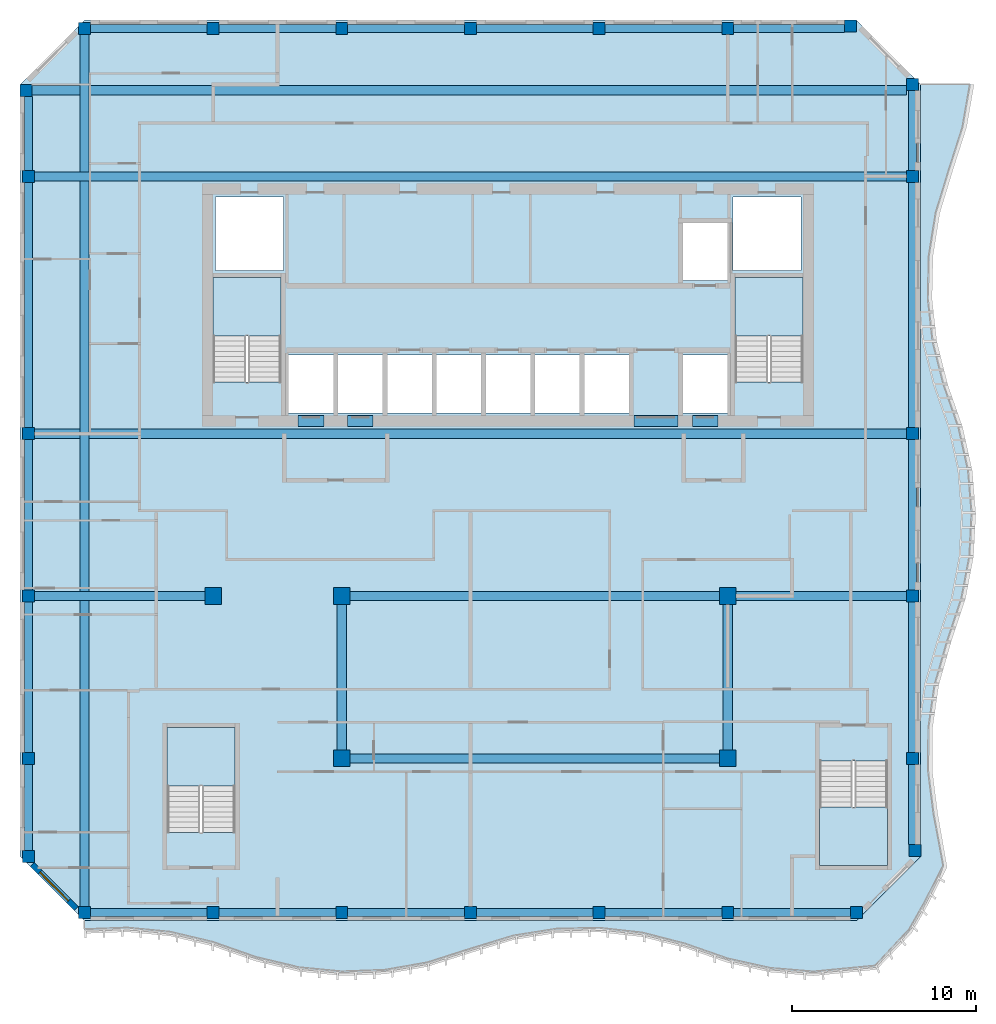
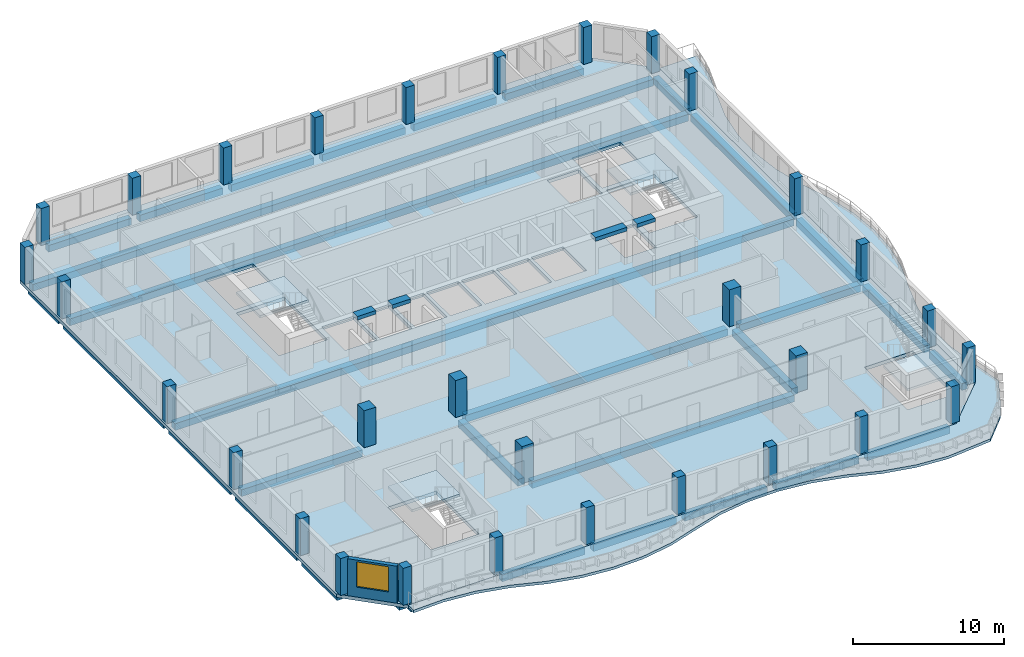
# One storey, part 1 of 13: 36 beams, 31 columns, 6 slabs, 1 wall, 1 window, 1 opening, 4 elements without a shape of their own.
"""IFC4 building model written with IfcOpenShell, lengths in metres."""

from ifc_helpers import new_model, si_unit, direction, frame, frame_2d, origin, origin_2d, place, context, subcontext, project, spatial, polyline, rectangle, outline, extrude, source, transform, mapped, material, layer, layer_set, material_profile, profile_set, type_object, element, fill, aggregate, save


model = new_model("IFC4")

# Units and contexts
model_context = context("Model", 3, precision=1e-05, world=origin(), true_north=direction((0.0, 1.0)))
body_context = subcontext(model_context, "Body", "Model", "MODEL_VIEW")
ifc_project = project(units=[si_unit("LENGTHUNIT", "METRE"), si_unit("AREAUNIT", "SQUARE_METRE"), si_unit("VOLUMEUNIT", "CUBIC_METRE"), si_unit("PLANEANGLEUNIT", "RADIAN"), si_unit("MASSUNIT", "GRAM", prefix="KILO")], contexts=[model_context])

# Site, building, storey
site_placement = place(None, origin())
site = spatial("IfcSite", under=ifc_project, at=site_placement, CompositionType="ELEMENT")
building_placement = place(site_placement, origin())
building = spatial("IfcBuilding", under=site, at=building_placement, Name="Kilnfold Tower and Market Hall", CompositionType="ELEMENT")
storey_placement = place(building_placement, frame((0.0, 0.0, 287.39990234375)))
storey = spatial("IfcBuildingStorey", under=building, at=storey_placement, Name="L71", CompositionType="ELEMENT", Elevation=287.39990234375)

# Columns
ifc_material_1 = material(Name="Concrete C60", Category="concrete")
ifc_material_profile_1 = material_profile(ifc_material_1, rectangle(XDim=0.64990234375, YDim=0.64990234375, at=origin_2d()), Name="RC 650x650")
ifc_profile_set_1 = profile_set([ifc_material_profile_1], Name="Concrete C60")
column_type_1 = type_object("IfcColumnType", Name="COLUMN 650X650 C60", PredefinedType="COLUMN", material=ifc_profile_set_1)
shared_shape_1 = source(origin(), body_context, "Body", "SweptSolid", [
    extrude(rectangle(XDim=0.64990234375, YDim=0.64990234375, at=origin_2d()), origin(), (0.0, 0.0, 1.0), 3.0),
])
for number, where, z_axis, x_axis, name in (
    (1, (-25.181884765625, 26.681884765625, 0.0), (0.0, 0.0, 1.0), (1.0, 0.0, 0.0), "Column C-B8-1G"),
    (2, (-25.050048828125, -15.0, 0.0), (0.0, 0.0, 1.0), (1.0, 0.0, 0.0), "Column C-B8-1B"),
    (3, (-25.050048828125, -9.666748046875, 0.0), (0.0, 0.0, 1.0), (1.0, 0.0, 0.0), "Column C-B8-1C"),
    (4, (-25.050048828125, -0.833251953125, 0.0), (0.0, 0.0, 1.0), (1.0, 0.0, 0.0), "Column C-B8-1D"),
    (5, (-25.050048828125, 8.0, 0.0), (0.0, 0.0, 1.0), (1.0, 0.0, 0.0), "Column C-B8-1E"),
    (6, (-25.050048828125, 22.0, 0.0), (0.0, 0.0, 1.0), (1.0, 0.0, 0.0), "Column C-B8-1F"),
    (7, (-22.0, -18.050048828125, 0.0), (0.0, 0.0, 1.0), (1.0, 0.0, 0.0), "Column C-B8-2A"),
    (8, (-22.0, 30.050048828125, 0.0), (0.0, 0.0, 1.0), (1.0, 0.0, 0.0), "Column C-B8-2H"),
    (9, (-15.0, -18.050048828125, 0.0), (0.0, 0.0, 1.0), (1.0, 0.0, 0.0), "Column C-B8-3A"),
    (10, (-15.0, 30.050048828125, 0.0), (0.0, 0.0, 1.0), (1.0, 0.0, 0.0), "Column C-B8-3H"),
    (11, (-8.0, -18.050048828125, 0.0), (0.0, 0.0, 1.0), (1.0, 0.0, 0.0), "Column C-B8-4A"),
    (12, (-8.0, 30.050048828125, 0.0), (0.0, 0.0, 1.0), (1.0, 0.0, 0.0), "Column C-B8-4H"),
    (13, (-1.0, -18.050048828125, 0.0), (0.0, 0.0, 1.0), (1.0, 0.0, 0.0), "Column C-B8-5A"),
    (14, (-1.0, 30.050048828125, 0.0), (0.0, 0.0, 1.0), (1.0, 0.0, 0.0), "Column C-B8-5H"),
    (15, (6.0, -18.050048828125, 0.0), (0.0, 0.0, 1.0), (1.0, 0.0, 0.0), "Column C-B8-6A"),
    (16, (6.0, 30.050048828125, 0.0), (0.0, 0.0, 1.0), (1.0, 0.0, 0.0), "Column C-B8-6H"),
    (17, (13.0, -18.050048828125, 0.0), (0.0, 0.0, 1.0), (1.0, 0.0, 0.0), "Column C-B8-7A"),
    (18, (13.0, 30.050048828125, 0.0), (0.0, 0.0, 1.0), (1.0, 0.0, 0.0), "Column C-B8-7H"),
    (19, (19.681884765625, 30.181884765625, 0.0), (0.0, 0.0, 1.0), (1.0, 0.0, 0.0), "Column C-B8-8H"),
    (20, (20.0, -18.050048828125, 0.0), (0.0, 0.0, 1.0), (1.0, 0.0, 0.0), "Column C-B8-8A"),
    (21, (23.050048828125, -9.666748046875, 0.0), (0.0, 0.0, 1.0), (1.0, 0.0, 0.0), "Column C-B8-9C"),
    (22, (23.050048828125, -0.833251953125, 0.0), (0.0, 0.0, 1.0), (1.0, 0.0, 0.0), "Column C-B8-9D"),
    (23, (23.050048828125, 8.0, 0.0), (0.0, 0.0, 1.0), (1.0, 0.0, 0.0), "Column C-B8-9E"),
    (24, (23.050048828125, 22.0, 0.0), (0.0, 0.0, 1.0), (1.0, 0.0, 0.0), "Column C-B8-9F"),
    (25, (23.050048828125, 27.0, 0.0), (0.0, 0.0, 1.0), (1.0, 0.0, 0.0), "Column C-B8-9G"),
    (26, (23.181884765625, -14.681884765625, 0.0), (0.0, 0.0, 1.0), (1.0, 0.0, 0.0), "Column C-B8-9B"),
):
    element("IfcColumn", number, at=place(storey_placement, frame(where, z_axis=z_axis, x_axis=x_axis)), inside=storey, type_object=column_type_1, Name=name, PredefinedType="COLUMN", context=body_context, shape_type="MappedRepresentation", body=[
        mapped(shared_shape_1, transform((0.0, 0.0, 0.0))),
    ])
ifc_material_2 = material(Name="Concrete C60", Category="concrete")
ifc_material_profile_2 = material_profile(ifc_material_2, rectangle(XDim=0.89990234375, YDim=0.89990234375, at=origin_2d()), Name="RC 900x900")
ifc_profile_set_2 = profile_set([ifc_material_profile_2], Name="Concrete C60")
column_type_2 = type_object("IfcColumnType", Name="COLUMN 900X900 C60", PredefinedType="COLUMN", material=ifc_profile_set_2)
shared_shape_2 = source(origin(), body_context, "Body", "SweptSolid", [
    extrude(rectangle(XDim=0.89990234375, YDim=0.89990234375, at=origin_2d()), origin(), (0.0, 0.0, 1.0), 3.0),
])
for number, where, z_axis, x_axis, name in (
    (27, (-15.0, -0.833251953125, 0.0), (0.0, 0.0, 1.0), (1.0, 0.0, 0.0), "Column C-B8-3D"),
    (28, (-8.0, -9.666748046875, 0.0), (0.0, 0.0, 1.0), (1.0, 0.0, 0.0), "Column C-B8-4C"),
    (29, (-8.0, -0.833251953125, 0.0), (0.0, 0.0, 1.0), (1.0, 0.0, 0.0), "Column C-B8-4D"),
    (30, (13.0, -9.666748046875, 0.0), (0.0, 0.0, 1.0), (1.0, 0.0, 0.0), "Column C-B8-7C"),
    (31, (13.0, -0.833251953125, 0.0), (0.0, 0.0, 1.0), (1.0, 0.0, 0.0), "Column C-B8-7D"),
):
    element("IfcColumn", number, at=place(storey_placement, frame(where, z_axis=z_axis, x_axis=x_axis)), inside=storey, type_object=column_type_2, Name=name, PredefinedType="COLUMN", context=body_context, shape_type="MappedRepresentation", body=[
        mapped(shared_shape_2, transform((0.0, 0.0, 0.0))),
    ])

# Beams
ifc_material_3 = material(Name="Concrete C45", Category="concrete")
ifc_material_profile_3 = material_profile(ifc_material_3, rectangle(XDim=0.449951171875, YDim=0.550048828125, at=origin_2d()), Name="RC 450x550")
ifc_profile_set_3 = profile_set([ifc_material_profile_3], Name="Concrete C45")
beam_type_1 = type_object("IfcBeamType", Name="EDGE BEAM 450X550 C45", PredefinedType="BEAM", material=ifc_profile_set_3)
shared_shape_3 = source(origin(), body_context, "Body", "SweptSolid", [
    extrude(rectangle(XDim=0.449951171875, YDim=0.550048828125, at=origin_2d()), origin(), (0.0, 0.0, 1.0), 6.35009765625),
])
for number, where, z_axis, x_axis, name in (
    (32, (-21.675048828125, -18.050048828125, -0.554931640625), (1.0, 0.0, 0.0), (0.0, 1.0, 0.0), "Beam EB550-B8.31"),
    (33, (-14.675048828125, -18.050048828125, -0.554931640625), (1.0, 0.0, 0.0), (0.0, 1.0, 0.0), "Beam EB550-B8.32"),
    (34, (-7.675048828125, -18.050048828125, -0.554931640625), (1.0, 0.0, 0.0), (0.0, 1.0, 0.0), "Beam EB550-B8.33"),
    (35, (-0.675048828125, -18.050048828125, -0.554931640625), (1.0, 0.0, 0.0), (0.0, 1.0, 0.0), "Beam EB550-B8.34"),
    (36, (6.324951171875, -18.050048828125, -0.554931640625), (1.0, 0.0, 0.0), (0.0, 1.0, 0.0), "Beam EB550-B8.35"),
    (37, (13.324951171875, -18.050048828125, -0.554931640625), (1.0, 0.0, 0.0), (0.0, 1.0, 0.0), "Beam EB550-B8.36"),
    (38, (-21.675048828125, 30.050048828125, -0.554931640625), (1.0, 0.0, 0.0), (0.0, 1.0, 0.0), "Beam EB550-B8.44"),
    (39, (-14.675048828125, 30.050048828125, -0.554931640625), (1.0, 0.0, 0.0), (0.0, 1.0, 0.0), "Beam EB550-B8.45"),
    (40, (-7.675048828125, 30.050048828125, -0.554931640625), (1.0, 0.0, 0.0), (0.0, 1.0, 0.0), "Beam EB550-B8.46"),
    (41, (-0.675048828125, 30.050048828125, -0.554931640625), (1.0, 0.0, 0.0), (0.0, 1.0, 0.0), "Beam EB550-B8.47"),
    (42, (6.324951171875, 30.050048828125, -0.554931640625), (1.0, 0.0, 0.0), (0.0, 1.0, 0.0), "Beam EB550-B8.48"),
):
    element("IfcBeam", number, at=place(storey_placement, frame(where, z_axis=z_axis, x_axis=x_axis)), inside=storey, type_object=beam_type_1, Name=name, PredefinedType="BEAM", context=body_context, shape_type="MappedRepresentation", body=[
        mapped(shared_shape_3, transform((0.0, 0.0, 0.0))),
    ])
ifc_material_4 = material(Name="Concrete C45", Category="concrete")
ifc_material_profile_4 = material_profile(ifc_material_4, rectangle(XDim=0.5, YDim=0.550048828125, at=origin_2d()), Name="RC 500x550")
ifc_profile_set_4 = profile_set([ifc_material_profile_4], Name="Concrete C45")
beam_type_2 = type_object("IfcBeamType", Name="BEAM 500X550 C45", PredefinedType="BEAM", material=ifc_profile_set_4)
shared_shape_4 = source(origin(), body_context, "Body", "SweptSolid", [
    extrude(rectangle(XDim=0.5, YDim=0.550048828125, at=origin_2d()), origin(), (0.0, 0.0, 1.0), 20.10009765625),
])
for number, where, z_axis, x_axis, name in (
    (43, (-7.550048828125, -9.669921875, -0.554931640625), (1.0, 0.0, 0.0), (0.0, 1.0, 0.0), "Beam BB550-B8.37"),
    (44, (-7.550048828125, -0.830078125, -0.554931640625), (1.0, 0.0, 0.0), (0.0, 1.0, 0.0), "Beam BB550-B8.39"),
):
    element("IfcBeam", number, at=place(storey_placement, frame(where, z_axis=z_axis, x_axis=x_axis)), inside=storey, type_object=beam_type_2, Name=name, PredefinedType="BEAM", context=body_context, shape_type="MappedRepresentation", body=[
        mapped(shared_shape_4, transform((0.0, 0.0, 0.0))),
    ])
shared_shape_5 = source(origin(), body_context, "Body", "SweptSolid", [
    extrude(rectangle(XDim=0.5, YDim=0.550048828125, at=origin_2d()), origin(), (0.0, 0.0, 1.0), 9.275146484375),
])
for number, where, z_axis, x_axis, name in (
    (45, (-24.72509765625, -0.830078125, -0.554931640625), (1.0, 0.0, 0.0), (0.0, 1.0, 0.0), "Beam BB550-B8.38"),
    (46, (13.449951171875, -0.830078125, -0.554931640625), (1.0, 0.0, 0.0), (0.0, 1.0, 0.0), "Beam BB550-B8.40"),
):
    element("IfcBeam", number, at=place(storey_placement, frame(where, z_axis=z_axis, x_axis=x_axis)), inside=storey, type_object=beam_type_2, Name=name, PredefinedType="BEAM", context=body_context, shape_type="MappedRepresentation", body=[
        mapped(shared_shape_5, transform((0.0, 0.0, 0.0))),
    ])
shared_shape_6 = source(origin(), body_context, "Body", "SweptSolid", [
    extrude(rectangle(XDim=0.5, YDim=0.550048828125, at=origin_2d()), origin(), (0.0, 0.0, 1.0), 47.4501953125),
])
for number, where, z_axis, x_axis, name in (
    (47, (-24.72509765625, 8.0, -0.554931640625), (1.0, 0.0, 0.0), (0.0, 1.0, 0.0), "Beam BB550-B8.41"),
    (48, (-24.72509765625, 22.0, -0.554931640625), (1.0, 0.0, 0.0), (0.0, 1.0, 0.0), "Beam BB550-B8.42"),
    (49, (-22.0, -17.72509765625, -0.554931640625), (0.0, 1.0, 0.0), (-1.0, 0.0, 0.0), "Beam BB550-B8.55"),
):
    element("IfcBeam", number, at=place(storey_placement, frame(where, z_axis=z_axis, x_axis=x_axis)), inside=storey, type_object=beam_type_2, Name=name, PredefinedType="BEAM", context=body_context, shape_type="MappedRepresentation", body=[
        mapped(shared_shape_6, transform((0.0, 0.0, 0.0))),
    ])
shared_shape_7 = source(origin(), body_context, "Body", "SweptSolid", [
    extrude(rectangle(XDim=0.5, YDim=0.550048828125, at=origin_2d()), origin(), (0.0, 0.0, 1.0), 47.581787109375),
])
beam_1_placement = place(storey_placement, frame((-24.856689453125, 26.679931640625, -0.554931640625), z_axis=(1.0, 0.0, 0.0), x_axis=(0.0, 1.0, 0.0)))
element("IfcBeam", 50, at=beam_1_placement, inside=storey, type_object=beam_type_2, Name="Beam BB550-B8.43", PredefinedType="BEAM", context=body_context, shape_type="MappedRepresentation", body=[
    mapped(shared_shape_7, transform((0.0, 0.0, 0.0))),
])
shared_shape_8 = source(origin(), body_context, "Body", "SweptSolid", [
    extrude(rectangle(XDim=0.449951171875, YDim=0.550048828125, at=origin_2d()), origin(), (0.0, 0.0, 1.0), 6.03173828125),
])
beam_2_placement = place(storey_placement, frame((13.324951171875, 30.050048828125, -0.554931640625), z_axis=(1.0, 0.0, 0.0), x_axis=(0.0, 1.0, 0.0)))
element("IfcBeam", 51, at=beam_2_placement, inside=storey, type_object=beam_type_1, Name="Beam EB550-B8.49", PredefinedType="BEAM", context=body_context, shape_type="MappedRepresentation", body=[
    mapped(shared_shape_8, transform((0.0, 0.0, 0.0))),
])
shared_shape_9 = source(origin(), body_context, "Body", "SweptSolid", [
    extrude(rectangle(XDim=0.449951171875, YDim=0.550048828125, at=origin_2d()), origin(), (0.0, 0.0, 1.0), 4.683349609375),
])
beam_3_placement = place(storey_placement, frame((-25.050048828125, -14.675048828125, -0.554931640625), z_axis=(0.0, 1.0, 0.0), x_axis=(-1.0, 0.0, 0.0)))
element("IfcBeam", 52, at=beam_3_placement, inside=storey, type_object=beam_type_1, Name="Beam EB550-B8.50", PredefinedType="BEAM", context=body_context, shape_type="MappedRepresentation", body=[
    mapped(shared_shape_9, transform((0.0, 0.0, 0.0))),
])
shared_shape_10 = source(origin(), body_context, "Body", "SweptSolid", [
    extrude(rectangle(XDim=0.449951171875, YDim=0.550048828125, at=origin_2d()), origin(), (0.0, 0.0, 1.0), 8.18359375),
])
for number, where, z_axis, x_axis, name in (
    (53, (-25.050048828125, -9.341796875, -0.554931640625), (0.0, 1.0, 0.0), (-1.0, 0.0, 0.0), "Beam EB550-B8.51"),
    (54, (23.050048828125, -9.341796875, -0.554931640625), (0.0, 1.0, 0.0), (-1.0, 0.0, 0.0), "Beam EB550-B8.57"),
):
    element("IfcBeam", number, at=place(storey_placement, frame(where, z_axis=z_axis, x_axis=x_axis)), inside=storey, type_object=beam_type_1, Name=name, PredefinedType="BEAM", context=body_context, shape_type="MappedRepresentation", body=[
        mapped(shared_shape_10, transform((0.0, 0.0, 0.0))),
    ])
shared_shape_11 = source(origin(), body_context, "Body", "SweptSolid", [
    extrude(rectangle(XDim=0.449951171875, YDim=0.550048828125, at=origin_2d()), origin(), (0.0, 0.0, 1.0), 8.183349609375),
])
for number, where, z_axis, x_axis, name in (
    (55, (-25.050048828125, -0.50830078125, -0.554931640625), (0.0, 1.0, 0.0), (-1.0, 0.0, 0.0), "Beam EB550-B8.52"),
    (56, (23.050048828125, -0.50830078125, -0.554931640625), (0.0, 1.0, 0.0), (-1.0, 0.0, 0.0), "Beam EB550-B8.58"),
):
    element("IfcBeam", number, at=place(storey_placement, frame(where, z_axis=z_axis, x_axis=x_axis)), inside=storey, type_object=beam_type_1, Name=name, PredefinedType="BEAM", context=body_context, shape_type="MappedRepresentation", body=[
        mapped(shared_shape_11, transform((0.0, 0.0, 0.0))),
    ])
shared_shape_12 = source(origin(), body_context, "Body", "SweptSolid", [
    extrude(rectangle(XDim=0.449951171875, YDim=0.550048828125, at=origin_2d()), origin(), (0.0, 0.0, 1.0), 13.35009765625),
])
for number, where, z_axis, x_axis, name in (
    (57, (-25.050048828125, 8.324951171875, -0.554931640625), (0.0, 1.0, 0.0), (-1.0, 0.0, 0.0), "Beam EB550-B8.53"),
    (58, (23.050048828125, 8.324951171875, -0.554931640625), (0.0, 1.0, 0.0), (-1.0, 0.0, 0.0), "Beam EB550-B8.59"),
):
    element("IfcBeam", number, at=place(storey_placement, frame(where, z_axis=z_axis, x_axis=x_axis)), inside=storey, type_object=beam_type_1, Name=name, PredefinedType="BEAM", context=body_context, shape_type="MappedRepresentation", body=[
        mapped(shared_shape_12, transform((0.0, 0.0, 0.0))),
    ])
shared_shape_13 = source(origin(), body_context, "Body", "SweptSolid", [
    extrude(rectangle(XDim=0.449951171875, YDim=0.550048828125, at=origin_2d()), origin(), (0.0, 0.0, 1.0), 4.03173828125),
])
beam_4_placement = place(storey_placement, frame((-25.050048828125, 22.324951171875, -0.554931640625), z_axis=(0.0, 1.0, 0.0), x_axis=(-1.0, 0.0, 0.0)))
element("IfcBeam", 59, at=beam_4_placement, inside=storey, type_object=beam_type_1, Name="Beam EB550-B8.54", PredefinedType="BEAM", context=body_context, shape_type="MappedRepresentation", body=[
    mapped(shared_shape_13, transform((0.0, 0.0, 0.0))),
])
shared_shape_14 = source(origin(), body_context, "Body", "SweptSolid", [
    extrude(rectangle(XDim=0.5, YDim=0.550048828125, at=origin_2d()), origin(), (0.0, 0.0, 1.0), 7.93359375),
])
for number, where, z_axis, x_axis, name in (
    (60, (-8.0, -9.216796875, -0.554931640625), (0.0, 1.0, 0.0), (-1.0, 0.0, 0.0), "Beam BB550-B8.24"),
    (61, (13.0, -9.216796875, -0.554931640625), (0.0, 1.0, 0.0), (-1.0, 0.0, 0.0), "Beam BB550-B8.25"),
):
    element("IfcBeam", number, at=place(storey_placement, frame(where, z_axis=z_axis, x_axis=x_axis)), inside=storey, type_object=beam_type_2, Name=name, PredefinedType="BEAM", context=body_context, shape_type="MappedRepresentation", body=[
        mapped(shared_shape_14, transform((0.0, 0.0, 0.0))),
    ])
shared_shape_15 = source(origin(), body_context, "Body", "SweptSolid", [
    extrude(rectangle(XDim=0.449951171875, YDim=0.550048828125, at=origin_2d()), origin(), (0.0, 0.0, 1.0), 4.364990234375),
])
beam_5_placement = place(storey_placement, frame((23.050048828125, -14.356689453125, -0.554931640625), z_axis=(0.0, 1.0, 0.0), x_axis=(-1.0, 0.0, 0.0)))
element("IfcBeam", 62, at=beam_5_placement, inside=storey, type_object=beam_type_1, Name="Beam EB550-B8.56", PredefinedType="BEAM", context=body_context, shape_type="MappedRepresentation", body=[
    mapped(shared_shape_15, transform((0.0, 0.0, 0.0))),
])
shared_shape_16 = source(origin(), body_context, "Body", "SweptSolid", [
    extrude(rectangle(XDim=0.449951171875, YDim=0.550048828125, at=origin_2d()), origin(), (0.0, 0.0, 1.0), 4.35009765625),
])
beam_6_placement = place(storey_placement, frame((23.050048828125, 22.324951171875, -0.554931640625), z_axis=(0.0, 1.0, 0.0), x_axis=(-1.0, 0.0, 0.0)))
element("IfcBeam", 63, at=beam_6_placement, inside=storey, type_object=beam_type_1, Name="Beam EB550-B8.60", PredefinedType="BEAM", context=body_context, shape_type="MappedRepresentation", body=[
    mapped(shared_shape_16, transform((0.0, 0.0, 0.0))),
])
ifc_material_5 = material(Name="Concrete C50", Category="concrete")
ifc_material_profile_5 = material_profile(ifc_material_5, rectangle(XDim=0.60009765625, YDim=0.300048828125, at=origin_2d()), Name="RC 600x300")
ifc_profile_set_5 = profile_set([ifc_material_profile_5], Name="Concrete C50")
beam_type_3 = type_object("IfcBeamType", Name="COUPLING BEAM 600X300 C50", PredefinedType="BEAM", material=ifc_profile_set_5)
shared_shape_17 = source(origin(), body_context, "Body", "SweptSolid", [
    extrude(rectangle(XDim=0.60009765625, YDim=0.300048828125, at=origin_2d()), origin(), (0.0, 0.0, 1.0), 1.400146484375),
])
beam_7_placement = place(storey_placement, frame((-10.3701171875, 8.699951171875, 2.85009765625), z_axis=(1.0, 0.0, 0.0), x_axis=(0.0, 1.0, 0.0)))
element("IfcBeam", 64, at=beam_7_placement, inside=storey, type_object=beam_type_3, Name="Coupling beam CB300-50-CORE.30", PredefinedType="BEAM", context=body_context, shape_type="MappedRepresentation", body=[
    mapped(shared_shape_17, transform((0.0, 0.0, 0.0))),
])
shared_shape_18 = source(origin(), body_context, "Body", "SweptSolid", [
    extrude(rectangle(XDim=0.60009765625, YDim=0.300048828125, at=origin_2d()), origin(), (0.0, 0.0, 1.0), 1.39990234375),
])
for number, where, z_axis, x_axis, name in (
    (65, (-7.68994140625, 8.699951171875, 2.85009765625), (1.0, 0.0, 0.0), (0.0, 1.0, 0.0), "Coupling beam CB300-50-CORE.31"),
    (66, (11.070068359375, 8.699951171875, 2.85009765625), (1.0, 0.0, 0.0), (0.0, 1.0, 0.0), "Coupling beam CB300-50-CORE.33"),
):
    element("IfcBeam", number, at=place(storey_placement, frame(where, z_axis=z_axis, x_axis=x_axis)), inside=storey, type_object=beam_type_3, Name=name, PredefinedType="BEAM", context=body_context, shape_type="MappedRepresentation", body=[
        mapped(shared_shape_18, transform((0.0, 0.0, 0.0))),
    ])
shared_shape_19 = source(origin(), body_context, "Body", "SweptSolid", [
    extrude(rectangle(XDim=0.60009765625, YDim=0.300048828125, at=origin_2d()), origin(), (0.0, 0.0, 1.0), 2.400146484375),
])
beam_8_placement = place(storey_placement, frame((7.889892578125, 8.699951171875, 2.85009765625), z_axis=(1.0, 0.0, 0.0), x_axis=(0.0, 1.0, 0.0)))
element("IfcBeam", 67, at=beam_8_placement, inside=storey, type_object=beam_type_3, Name="Coupling beam CB300-50-CORE.32", PredefinedType="BEAM", context=body_context, shape_type="MappedRepresentation", body=[
    mapped(shared_shape_19, transform((0.0, 0.0, 0.0))),
])

# Slabs
ifc_material_6 = material(Name="Concrete C45", Category="concrete")
ifc_layer_1 = layer(ifc_material_6, 0.280029296875)
ifc_layer_set_1 = layer_set([ifc_layer_1], Name="Concrete C45")
slab_type_1 = type_object("IfcSlabType", Name="FLOOR SLAB 280", PredefinedType="FLOOR", material=ifc_layer_set_1)
shared_shape_20 = source(origin(), body_context, "Body", "SweptSolid", [
    extrude(outline(polyline([(-22.0, -18.5), (20.0, -18.5), (23.5, -15.0), (23.5, 27.0), (20.0, 30.5), (-22.0, 30.5), (-25.5, 27.0), (-25.5, -15.0), (-22.0, -18.5)]), holes=[polyline([(-13.800537109375, -8.00048828125), (-13.800537109375, -13.699462890625), (-17.49951171875, -13.699462890625), (-17.49951171875, -8.00048828125), (-13.800537109375, -8.00048828125)]), polyline([(-11.300537109375, 10.800537109375), (-14.99951171875, 10.800537109375), (-14.99951171875, 16.49951171875), (-11.300537109375, 16.49951171875), (-11.300537109375, 10.800537109375)]), polyline([(-11.175048828125, 16.875), (-14.875, 16.875), (-14.875, 20.875), (-11.175048828125, 20.875), (-11.175048828125, 16.875)]), polyline([(-8.455078125, 9.125), (-10.885009765625, 9.125), (-10.885009765625, 12.27490234375), (-8.455078125, 12.27490234375), (-8.455078125, 9.125)]), polyline([(-5.77490234375, 9.125), (-8.205078125, 9.125), (-8.205078125, 12.27490234375), (-5.77490234375, 12.27490234375), (-5.77490234375, 9.125)]), polyline([(-3.094970703125, 9.125), (-5.52490234375, 9.125), (-5.52490234375, 12.27490234375), (-3.094970703125, 12.27490234375), (-3.094970703125, 9.125)]), polyline([(-0.4150390625, 9.125), (-2.844970703125, 9.125), (-2.844970703125, 12.27490234375), (-0.4150390625, 12.27490234375), (-0.4150390625, 9.125)]), polyline([(2.264892578125, 9.125), (-0.1650390625, 9.125), (-0.1650390625, 12.27490234375), (2.264892578125, 12.27490234375), (2.264892578125, 9.125)]), polyline([(4.945068359375, 9.125), (2.514892578125, 9.125), (2.514892578125, 12.27490234375), (4.945068359375, 12.27490234375), (4.945068359375, 9.125)]), polyline([(7.625, 9.125), (5.195068359375, 9.125), (5.195068359375, 12.27490234375), (7.625, 12.27490234375), (7.625, 9.125)]), polyline([(12.985107421875, 9.125), (10.554931640625, 9.125), (10.554931640625, 12.27490234375), (12.985107421875, 12.27490234375), (12.985107421875, 9.125)]), polyline([(12.985107421875, 16.324951171875), (10.554931640625, 16.324951171875), (10.554931640625, 19.47509765625), (12.985107421875, 19.47509765625), (12.985107421875, 16.324951171875)]), polyline([(16.97509765625, 16.875), (13.27490234375, 16.875), (13.27490234375, 20.875), (16.97509765625, 20.875), (16.97509765625, 16.875)]), polyline([(17.099609375, 10.800537109375), (13.400390625, 10.800537109375), (13.400390625, 16.49951171875), (17.099609375, 16.49951171875), (17.099609375, 10.800537109375)]), polyline([(18.00048828125, -9.800537109375), (21.699462890625, -9.800537109375), (21.699462890625, -15.49951171875), (18.00048828125, -15.49951171875), (18.00048828125, -9.800537109375)])]), origin(), (0.0, 0.0, 1.0), 0.280029296875),
])
slab_1_placement = place(storey_placement, frame((0.0, 0.0, -0.280029296875)))
element("IfcSlab", 68, at=slab_1_placement, inside=storey, type_object=slab_type_1, Name="Floor slab L71", PredefinedType="FLOOR", context=body_context, shape_type="MappedRepresentation", body=[
    mapped(shared_shape_20, transform((0.0, 0.0, 0.0))),
])
ifc_material_7 = material(Name="Concrete C40/50", Category="concrete")
ifc_layer_2 = layer(ifc_material_7, 0.219970703125)
ifc_layer_set_2 = layer_set([ifc_layer_2], Name="Concrete C40/50")
slab_type_2 = type_object("IfcSlabType", Name="BALCONY SLAB 220", PredefinedType="FLOOR", material=ifc_layer_set_2)
shared_shape_21 = source(origin(), body_context, "Body", "SweptSolid", [
    extrude(outline(polyline([(-22.0, -18.5), (20.0, -18.5), (23.5, -15.0), (23.5, 27.0), (26.4052734375, 27.0), (25.998779296875, 24.666748046875), (25.250244140625, 22.333251953125), (24.540283203125, 20.0), (24.169921875, 17.666748046875), (24.1171875, 15.333251953125), (24.37939453125, 13.0), (24.9716796875, 10.666748046875), (25.787109375, 8.333251953125), (26.304931640625, 6.0), (26.498046875, 3.666748046875), (26.376708984375, 1.333251953125), (25.934814453125, -1.0), (25.156005859375, -3.333251953125), (24.484375, -5.666748046875), (24.14892578125, -8.0), (24.13037109375, -10.333251953125), (24.42724609375, -12.666748046875), (24.9384765625, -15.595703125), (23.856201171875, -17.689697265625), (23.0048828125, -19.17138671875), (21.10107421875, -21.158203125), (17.666748046875, -21.497802734375), (15.333251953125, -21.304443359375), (13.0, -20.785888671875), (10.666748046875, -19.97021484375), (8.333251953125, -19.378662109375), (6.0, -19.116943359375), (3.666748046875, -19.170166015625), (1.333251953125, -19.541259765625), (-1.0, -20.251953125), (-3.333251953125, -21.0), (-5.666748046875, -21.405517578125), (-8.0, -21.4921875), (-10.333251953125, -21.264404296875), (-12.666748046875, -20.709228515625), (-15.0, -19.889404296875), (-17.333251953125, -19.3349609375), (-19.666748046875, -19.107666015625), (-22.0, -19.19482421875), (-22.0, -18.5)])), origin(), (0.0, 0.0, 1.0), 0.219970703125),
])
slab_2_placement = place(storey_placement, frame((0.0, 0.0, -0.219970703125)))
element("IfcSlab", 69, at=slab_2_placement, inside=storey, type_object=slab_type_2, Name="Balcony slab L71", PredefinedType="FLOOR", context=body_context, shape_type="MappedRepresentation", body=[
    mapped(shared_shape_21, transform((0.0, 0.0, 0.0))),
])

# Stair, slab
ifc_material_8 = material(Name="Concrete C40/50", Category="concrete")
stair_type = type_object("IfcStairType", Name="CORE STAIR 1800", PredefinedType="HALF_TURN_STAIR", material=ifc_material_8)
stair_1_placement = place(storey_placement, origin())
stair_1 = element("IfcStair", 70, at=stair_1_placement, inside=storey, type_object=stair_type, Name="L71 ST1", PredefinedType="HALF_TURN_STAIR")
ifc_material_9 = material(Name="Concrete C40/50", Category="concrete")
ifc_layer_3 = layer(ifc_material_9, 0.199951171875)
ifc_layer_set_3 = layer_set([ifc_layer_3], Name="Concrete C40/50")
slab_type_3 = type_object("IfcSlabType", Name="CORE STAIR LANDING 200", PredefinedType="LANDING", material=ifc_layer_set_3)
shared_shape_22 = source(origin(), body_context, "Body", "SweptSolid", [
    extrude(outline(polyline([(-11.300048828125, 13.320068359375), (-11.300048828125, 16.5), (-15.0, 16.5), (-15.0, 13.320068359375), (-11.300048828125, 13.320068359375)])), origin(), (0.0, 0.0, 1.0), 0.2001953125),
])
slab_3_placement = place(storey_placement, frame((0.0, 0.0, 1.5)))
slab_3 = element("IfcSlab", 71, at=slab_3_placement, type_object=slab_type_3, Name="ST1 landing 1", PredefinedType="LANDING", context=body_context, shape_type="MappedRepresentation", body=[
    mapped(shared_shape_22, transform((0.0, 0.0, 0.0))),
])
aggregate(stair_1, [slab_3])

stair_2_placement = place(storey_placement, origin())
stair_2 = element("IfcStair", 72, at=stair_2_placement, inside=storey, type_object=stair_type, Name="L71 ST2", PredefinedType="HALF_TURN_STAIR")
shared_shape_23 = source(origin(), body_context, "Body", "SweptSolid", [
    extrude(outline(polyline([(17.10009765625, 13.320068359375), (17.10009765625, 16.5), (13.39990234375, 16.5), (13.39990234375, 13.320068359375), (17.10009765625, 13.320068359375)])), origin(), (0.0, 0.0, 1.0), 0.2001953125),
])
slab_4_placement = place(storey_placement, frame((0.0, 0.0, 1.5)))
slab_4 = element("IfcSlab", 73, at=slab_4_placement, type_object=slab_type_3, Name="ST2 landing 1", PredefinedType="LANDING", context=body_context, shape_type="MappedRepresentation", body=[
    mapped(shared_shape_23, transform((0.0, 0.0, 0.0))),
])
aggregate(stair_2, [slab_4])

stair_3_placement = place(storey_placement, origin())
stair_3 = element("IfcStair", 74, at=stair_3_placement, inside=storey, type_object=stair_type, Name="L71 ST3", PredefinedType="HALF_TURN_STAIR")
shared_shape_24 = source(origin(), body_context, "Body", "SweptSolid", [
    extrude(outline(polyline([(-13.800048828125, -11.179931640625), (-13.800048828125, -8.0), (-17.5, -8.0), (-17.5, -11.179931640625), (-13.800048828125, -11.179931640625)])), origin(), (0.0, 0.0, 1.0), 0.2001953125),
])
slab_5_placement = place(storey_placement, frame((0.0, 0.0, 1.5)))
slab_5 = element("IfcSlab", 75, at=slab_5_placement, type_object=slab_type_3, Name="ST3 landing 1", PredefinedType="LANDING", context=body_context, shape_type="MappedRepresentation", body=[
    mapped(shared_shape_24, transform((0.0, 0.0, 0.0))),
])
aggregate(stair_3, [slab_5])

stair_4_placement = place(storey_placement, origin())
stair_4 = element("IfcStair", 76, at=stair_4_placement, inside=storey, type_object=stair_type, Name="L71 ST4", PredefinedType="HALF_TURN_STAIR")
shared_shape_25 = source(origin(), body_context, "Body", "SweptSolid", [
    extrude(outline(polyline([(18.0, -12.320068359375), (18.0, -15.5), (21.699951171875, -15.5), (21.699951171875, -12.320068359375), (18.0, -12.320068359375)])), origin(), (0.0, 0.0, 1.0), 0.2001953125),
])
slab_6_placement = place(storey_placement, frame((0.0, 0.0, 1.5)))
slab_6 = element("IfcSlab", 77, at=slab_6_placement, type_object=slab_type_3, Name="ST4 landing 1", PredefinedType="LANDING", context=body_context, shape_type="MappedRepresentation", body=[
    mapped(shared_shape_25, transform((0.0, 0.0, 0.0))),
])
aggregate(stair_4, [slab_6])

# Wall, opening, window
ifc_material_10 = material(Name="Precast concrete C50/60", Category="concrete")
ifc_layer_4 = layer(ifc_material_10, 0.300048828125)
ifc_layer_set_4 = layer_set([ifc_layer_4], Name="Precast concrete C50/60")
wall_type = type_object("IfcWallType", Name="PRECAST WALL 300", PredefinedType="SOLIDWALL", material=ifc_layer_set_4)
shared_shape_26 = source(origin(), body_context, "Body", "SweptSolid", [
    extrude(rectangle(XDim=3.39404296875, YDim=0.300048828125, at=frame_2d((1.697021484375, 0.0))), origin(), (0.0, 0.0, 1.0), 3.0),
])
wall_placement = place(storey_placement, frame((-24.843994140625, -15.44384765625, 0.0), z_axis=(0.0, 0.0, 1.0), x_axis=(0.707070815327, -0.707142745217, 0.0)))
wall = element("IfcWall", 78, at=wall_placement, inside=storey, type_object=wall_type, Name="External wall L71 SW", PredefinedType="SOLIDWALL", context=body_context, shape_type="MappedRepresentation", body=[
    mapped(shared_shape_26, transform((0.0, 0.0, 0.0))),
])
opening_placement = place(wall_placement, frame((0.596923828125, 0.0, 0.800048828125)))
opening = element("IfcOpeningElement", 79, at=opening_placement, cuts=wall, Name="Opening W3", PredefinedType="OPENING", context=body_context, shape_type="SweptSolid", body=[
    extrude(rectangle(XDim=2.199951171875, YDim=2.050048828125, at=frame_2d((1.10009765625, 1.02490234375))), frame((0.0, 0.16015625, 0.0), z_axis=(0.0, -1.0, 0.0), x_axis=(1.0, 0.0, 0.0)), (0.0, 0.0, 1.0), 0.320068359375),
])
ifc_material_11 = material(Name="Aluminium frame and double glazing", Category="aluminium")
window_type = type_object("IfcWindowType", Name="WINDOW W3 2200X2050", PartitioningType="SINGLE_PANEL", PredefinedType="WINDOW", material=ifc_material_11)
window_placement = place(opening_placement, origin())
window = element("IfcWindow", 80, at=window_placement, inside=storey, type_object=window_type, Name="Window W3 L71 SW-1", OverallHeight=2.050048828125, OverallWidth=2.199951171875, PartitioningType="SINGLE_PANEL", PredefinedType="WINDOW", context=body_context, shape_type="SweptSolid", body=[
    extrude(rectangle(XDim=2.199951171875, YDim=2.050048828125, at=frame_2d((1.10009765625, 1.02490234375))), frame((0.0, 0.030029296875, 0.0), z_axis=(0.0, -1.0, 0.0), x_axis=(1.0, 0.0, 0.0)), (0.0, 0.0, 1.0), 0.06005859375),
])
fill(opening, window)

save(model, "model.ifc")
